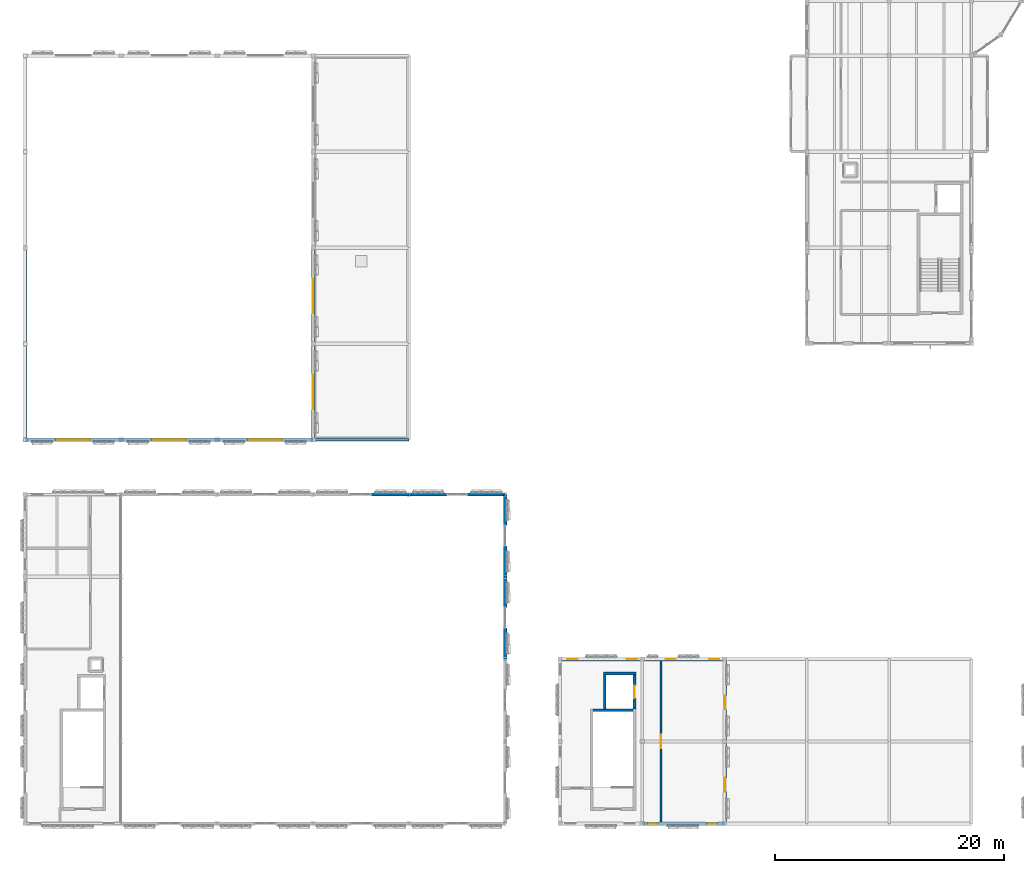
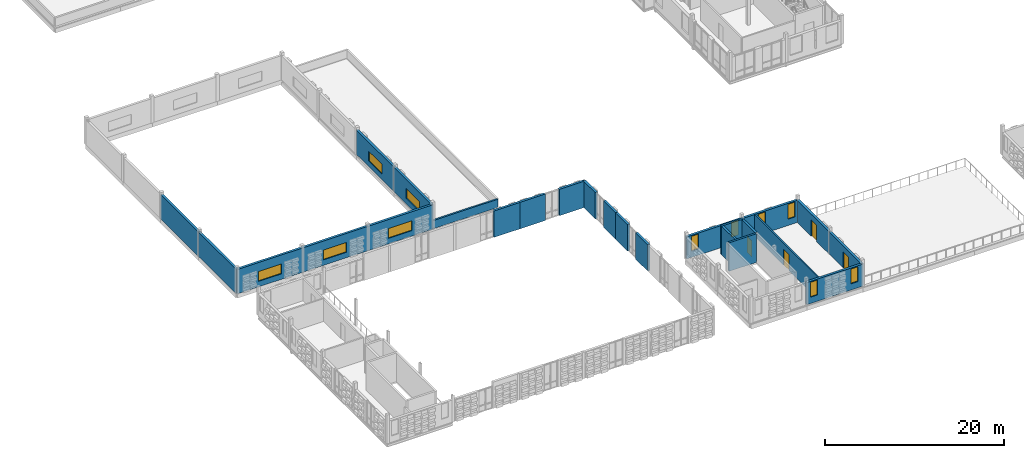
# One storey, part 36 of 57: 25 walls, 11 windows, 4 doors, 15 openings.
"""IFC4 building model written with IfcOpenShell, lengths in metres."""

import ifcopenshell
import ifcopenshell.guid

model = None  # the IFC model being written
_history = None  # IfcOwnerHistory: only IFC2X3 demands one
_inside = {}  # id of a spatial element -> (the spatial element, [elements in it])
_under = {}  # id of a project, library or spatial element -> (it, [spatial elements below it])
_declared = {}  # id of a project -> (the project, [libraries it declares])
_typed = {}  # id of a type object -> (the type object, [elements of that type])
_made_of = {}  # id of a material, layer set ... -> (it, [elements and type objects made of it])


def new_model(schema):
    """Start an empty IFC model of exactly this schema.

    Asked for "IFC4X3", IfcOpenShell would pick the latest addendum, in which some entities
    have other attributes; the version numbers below select the first issue.
    IFC2X3 requires an IfcOwnerHistory on every rooted entity: one is made here for all.
    """
    global model, _history
    if schema == "IFC4X3":
        model = ifcopenshell.file(schema_version=(4, 3, 0, 0))
    else:
        model = ifcopenshell.file(schema=schema)
    _inside.clear()
    _under.clear()
    _declared.clear()
    _typed.clear()
    _made_of.clear()
    _history = None
    if model.schema == "IFC2X3":
        org = make("IfcOrganization", Name="unknown")
        user = make(
            "IfcPersonAndOrganization",
            ThePerson=make("IfcPerson", FamilyName="unknown"),
            TheOrganization=org,
        )
        app = make(
            "IfcApplication",
            ApplicationDeveloper=org,
            Version="unknown",
            ApplicationFullName="unknown",
            ApplicationIdentifier="unknown",
        )
        _history = make(
            "IfcOwnerHistory",
            OwningUser=user,
            OwningApplication=app,
            ChangeAction="ADDED",
            CreationDate=0,
        )
    return model


def make(cls, **values):
    """One entity of the class cls with the attributes given. An attribute that is None is left unset."""
    return model.create_entity(
        cls, **{name: value for name, value in values.items() if value is not None}
    )


def rooted(cls, **values):
    """An entity with a GlobalId (a new one), such as an element, a storey or a relation."""
    return make(cls, GlobalId=ifcopenshell.guid.new(), OwnerHistory=_history, **values)


def si_unit(unit_type, name, prefix=None):
    """IfcSIUnit, for example si_unit("LENGTHUNIT", "METRE", prefix="MILLI")."""
    return make("IfcSIUnit", UnitType=unit_type, Prefix=prefix, Name=name)


def assignment(units):
    """IfcUnitAssignment: the units of a project."""
    return None if units is None else make("IfcUnitAssignment", Units=units)


def point(xyz):
    """IfcCartesianPoint."""
    return None if xyz is None else make("IfcCartesianPoint", Coordinates=xyz)


def direction(xyz):
    """IfcDirection."""
    return None if xyz is None else make("IfcDirection", DirectionRatios=xyz)


def frame(location, z_axis=None, x_axis=None):
    """IfcAxis2Placement3D, a coordinate frame: its origin and axes. An axis left out is left unset."""
    return make(
        "IfcAxis2Placement3D",
        Location=point(location),
        Axis=direction(z_axis),
        RefDirection=direction(x_axis),
    )


def frame_2d(location, x_axis=None):
    """IfcAxis2Placement2D, a coordinate frame in the plane: its origin and x axis."""
    return make(
        "IfcAxis2Placement2D", Location=point(location), RefDirection=direction(x_axis)
    )


def origin():
    """The frame at (0, 0, 0) with its axes left unset."""
    return frame((0.0, 0.0, 0.0))


def place(relative_to, where):
    """IfcLocalPlacement: puts the frame where relative to a parent placement (None: the world)."""
    return make(
        "IfcLocalPlacement", PlacementRelTo=relative_to, RelativePlacement=where
    )


def context(
    kind, dimensions, precision=None, world=None, true_north=None, identifier=None
):
    """IfcGeometricRepresentationContext, for example the 3D "Model" context."""
    return make(
        "IfcGeometricRepresentationContext",
        ContextIdentifier=identifier,
        ContextType=kind,
        CoordinateSpaceDimension=dimensions,
        Precision=precision,
        WorldCoordinateSystem=world,
        TrueNorth=true_north,
    )


def subcontext(parent, identifier, kind, view, scale=None):
    """IfcGeometricRepresentationSubContext, for example "Body" below "Model"."""
    return make(
        "IfcGeometricRepresentationSubContext",
        ContextIdentifier=identifier,
        ContextType=kind,
        ParentContext=parent,
        TargetScale=scale,
        TargetView=view,
    )


def project(units=None, contexts=None):
    """IfcProject with its units and contexts."""
    return rooted(
        "IfcProject",
        Name="project",
        RepresentationContexts=contexts,
        UnitsInContext=assignment(units),
    )


def spatial(cls, under=None, at=None, **own):
    """A site, building, storey or space (cls), placed at a placement, below another one or the project."""
    s = rooted(cls, ObjectPlacement=at, **own)
    if under is not None:
        _under.setdefault(under.id(), (under, []))[1].append(s)
    return s


def profile(cls, at=None, kind="AREA", **sizes):
    """A parametric profile (cls). Its sizes go by their IFC names, for example OverallWidth=200.0."""
    return make(cls, ProfileType=kind, Position=at, **sizes)


def rectangle(**sizes):
    """IfcRectangleProfileDef."""
    return profile("IfcRectangleProfileDef", **sizes)


def extrude(swept, where, along, depth):
    """IfcExtrudedAreaSolid: the profile swept, set in the frame where, extruded along a direction by depth."""
    return make(
        "IfcExtrudedAreaSolid",
        SweptArea=swept,
        Position=where,
        ExtrudedDirection=direction(along),
        Depth=depth,
    )


def shape(context_of_items, identifier, shape_type, items):
    """IfcShapeRepresentation: the items that make up one representation, for example the "Body"."""
    return make(
        "IfcShapeRepresentation",
        ContextOfItems=context_of_items,
        RepresentationIdentifier=identifier,
        RepresentationType=shape_type,
        Items=items,
    )


def material(Name=None, Category=None):
    """IfcMaterial."""
    return make("IfcMaterial", Name=Name, Category=Category)


def layer(
    of_material, thickness, ventilated=None, Name=None, Category=None, Priority=None
):
    """IfcMaterialLayer: one layer of a wall or slab, of a material (None: an air gap)."""
    return make(
        "IfcMaterialLayer",
        Material=of_material,
        LayerThickness=thickness,
        IsVentilated=ventilated,
        Name=Name,
        Category=Category,
        Priority=Priority,
    )


def layer_set(layers, Name=None):
    """IfcMaterialLayerSet."""
    return make("IfcMaterialLayerSet", MaterialLayers=layers, LayerSetName=Name)


def made_of(thing, what):
    """Note that an element or type object is made of a material, layer set ...; save() writes the relation."""
    if what is not None:
        _made_of.setdefault(what.id(), (what, []))[1].append(thing)
    return thing


def type_object(cls, material=None, **own):
    """A type object (cls), such as IfcWallType, which elements share."""
    return made_of(rooted(cls, **own), material)


def element(
    cls,
    number,
    at=None,
    inside=None,
    cuts=None,
    type_object=None,
    material=None,
    context=None,
    identifier="Body",
    shape_type=None,
    held_by="IfcProductDefinitionShape",
    body=None,
    shapes=None,
    **own,
):
    """One element of the class cls, such as IfcWall. Its Tag is "e" and its number.

    at: its placement. inside: the storey or other place that contains it. cuts: it is an
    opening in that element (IfcRelVoidsElement). A single representation is given by context,
    identifier, shape_type and body (its items); several are given by shapes. held_by: the class
    of the entity that holds the representations. save() writes the other relations.
    """
    e = rooted(cls, Tag="e%d" % number, ObjectPlacement=at, **own)
    if body is not None:
        shapes = [shape(context, identifier, shape_type, body)]
    if shapes is not None:
        e.Representation = make(held_by, Representations=shapes)
    if inside is not None:
        _inside.setdefault(inside.id(), (inside, []))[1].append(e)
    if cuts is not None:
        rooted(
            "IfcRelVoidsElement", RelatingBuildingElement=cuts, RelatedOpeningElement=e
        )
    if type_object is not None:
        _typed.setdefault(type_object.id(), (type_object, []))[1].append(e)
    return made_of(e, material)


def fill(opening, filler):
    """IfcRelFillsElement: the door or window that sits in an opening."""
    return rooted(
        "IfcRelFillsElement",
        RelatingOpeningElement=opening,
        RelatedBuildingElement=filler,
    )


def aggregate(whole, parts):
    """IfcRelAggregates: a whole, such as a stair, and the parts it consists of."""
    return rooted("IfcRelAggregates", RelatingObject=whole, RelatedObjects=parts)


def save(model, path):
    """Write the relations noted so far, then the file.

    IfcRelAggregates (storeys below a building ...), IfcRelContainedInSpatialStructure (elements
    in a storey), IfcRelDefinesByType, IfcRelAssociatesMaterial and IfcRelDeclares: one each for
    every whole, place, type object, material and project.
    """
    for whole, parts in _under.values():
        aggregate(whole, parts)
    for where, things in _inside.values():
        rooted(
            "IfcRelContainedInSpatialStructure",
            RelatedElements=things,
            RelatingStructure=where,
        )
    for kind, things in _typed.values():
        rooted("IfcRelDefinesByType", RelatedObjects=things, RelatingType=kind)
    for what, things in _made_of.values():
        rooted("IfcRelAssociatesMaterial", RelatedObjects=things, RelatingMaterial=what)
    for by, libraries in _declared.values():
        rooted("IfcRelDeclares", RelatingContext=by, RelatedDefinitions=libraries)
    model.write(path)


model = new_model("IFC4")

# Units and contexts
model_context = context("Model", 3, precision=1e-05, world=origin(), true_north=direction((0.0, 1.0)))
body_context = subcontext(model_context, "Body", "Model", "MODEL_VIEW")
ifc_project = project(units=[si_unit("LENGTHUNIT", "METRE"), si_unit("AREAUNIT", "SQUARE_METRE"), si_unit("VOLUMEUNIT", "CUBIC_METRE"), si_unit("PLANEANGLEUNIT", "RADIAN"), si_unit("MASSUNIT", "GRAM", prefix="KILO")], contexts=[model_context])

# Site, building, storey
site_placement = place(None, origin())
site = spatial("IfcSite", under=ifc_project, at=site_placement, CompositionType="ELEMENT")
building_placement = place(site_placement, origin())
building = spatial("IfcBuilding", under=site, at=building_placement, Name="Kahlenmark Community Centre", CompositionType="ELEMENT")
storey_placement = place(building_placement, frame((0.0, 0.0, 13.800048828125)))
storey = spatial("IfcBuildingStorey", under=building, at=storey_placement, Name="L03", CompositionType="ELEMENT", Elevation=13.800048828125)

# Walls
ifc_material_1 = material(Name="Concrete C35/45", Category="concrete")
ifc_layer_1 = layer(ifc_material_1, 0.25)
ifc_layer_set_1 = layer_set([ifc_layer_1], Name="Concrete C35/45")
wall_type_1 = type_object("IfcWallType", Name="WT-CORE-250", PredefinedType="SHEAR", material=ifc_layer_set_1)
wall_1_placement = place(storey_placement, frame((57.199951171875, 18.72509765625, 0.0), z_axis=(0.0, 0.0, 1.0), x_axis=(-1.0, 0.0, 0.0)))
element("IfcWall", 1, at=wall_1_placement, inside=storey, type_object=wall_type_1, Name="Core K3 shear wall WL-CORE-K3-L03-0094", PredefinedType="SHEAR", context=body_context, shape_type="SweptSolid", body=[
    extrude(rectangle(XDim=3.5, YDim=0.25, at=frame_2d((1.75, 0.0))), origin(), (0.0, 0.0, 1.0), 3.89990234375),
])
wall_2_placement = place(storey_placement, frame((54.590087890625, 21.93505859375, 0.0), z_axis=(0.0, 0.0, 1.0), x_axis=(1.0, 0.0, 0.0)))
element("IfcWall", 2, at=wall_2_placement, inside=storey, type_object=wall_type_1, Name="Core K3 shear wall WL-CORE-K3-L03-0096", PredefinedType="SHEAR", context=body_context, shape_type="SweptSolid", body=[
    extrude(rectangle(XDim=2.85986328125, YDim=0.25, at=frame_2d((1.429931640625, 0.0))), origin(), (0.0, 0.0, 1.0), 3.89990234375),
])

# Wall, opening, door
wall_3_placement = place(storey_placement, frame((57.324951171875, 18.85009765625, 0.0), z_axis=(0.0, 0.0, 1.0), x_axis=(0.0, 1.0, 0.0)))
wall_3 = element("IfcWall", 3, at=wall_3_placement, inside=storey, type_object=wall_type_1, Name="Core K3 shear wall WL-CORE-K3-L03-0097", PredefinedType="SHEAR", context=body_context, shape_type="SweptSolid", body=[
    extrude(rectangle(XDim=2.9599609375, YDim=0.25, at=frame_2d((1.47998046875, 0.0))), origin(), (0.0, 0.0, 1.0), 3.89990234375),
])
opening_1_placement = place(wall_3_placement, frame((0.929931640625, 0.0, -0.010009765625)))
opening_1 = element("IfcOpeningElement", 4, at=opening_1_placement, cuts=wall_3, Name="Opening LD-3", PredefinedType="OPENING", context=body_context, shape_type="SweptSolid", body=[
    extrude(rectangle(XDim=1.10009765625, YDim=2.159912109375, at=frame_2d((0.550048828125, 1.080078125))), frame((0.0, 0.135009765625, 0.0), z_axis=(0.0, -1.0, 0.0), x_axis=(1.0, 0.0, 0.0)), (0.0, 0.0, 1.0), 0.27001953125),
])
ifc_material_2 = material(Name="Brushed stainless steel sliding lift landing door", Category="steel")
door_type_1 = type_object("IfcDoorType", Name="DT-LD-K3", OperationType="SLIDING_TO_LEFT", PredefinedType="DOOR", material=ifc_material_2)
door_1_placement = place(opening_1_placement, frame((0.0, 0.0, 0.010009765625)))
door_1 = element("IfcDoor", 5, at=door_1_placement, inside=storey, type_object=door_type_1, Name="Lift LF-03 sliding landing door L03", OperationType="SLIDING_TO_LEFT", OverallHeight=2.14990234375, OverallWidth=1.10009765625, PredefinedType="DOOR", context=body_context, shape_type="SweptSolid", body=[
    extrude(rectangle(XDim=1.10009765625, YDim=2.14990234375, at=frame_2d((0.550048828125, 1.074951171875))), frame((0.0, 0.02490234375, 0.0), z_axis=(0.0, -1.0, 0.0), x_axis=(1.0, 0.0, 0.0)), (0.0, 0.0, 1.0), 0.050048828125),
])
fill(opening_1, door_1)

# Walls
wall_4_placement = place(storey_placement, frame((54.715087890625, 18.85009765625, 0.0), z_axis=(0.0, 0.0, 1.0), x_axis=(0.0, 1.0, 0.0)))
element("IfcWall", 6, at=wall_4_placement, inside=storey, type_object=wall_type_1, Name="Core K3 shear wall WL-CORE-K3-L03-0098", PredefinedType="SHEAR", context=body_context, shape_type="SweptSolid", body=[
    extrude(rectangle(XDim=3.2099609375, YDim=0.25, at=frame_2d((1.60498046875, 0.0))), origin(), (0.0, 0.0, 1.0), 3.89990234375),
])
ifc_material_3 = material(Name="Cross-laminated timber CLT C24", Category="wood")
ifc_layer_2 = layer(ifc_material_3, 0.300048828125)
ifc_layer_set_2 = layer_set([ifc_layer_2], Name="Cross-laminated timber CLT C24")
wall_type_2 = type_object("IfcWallType", Name="WT-EW-300", PredefinedType="SOLIDWALL", material=ifc_layer_set_2)
for number, where, z_axis, x_axis, name in (
    (7, (37.60009765625, 37.60009765625, 0.0), (0.0, 0.0, 1.0), (-1.0, 0.0, 0.0), "Basketweave backup wall WL-EXT-L03-0559"),
    (8, (46.0, 37.60009765625, 0.0), (0.0, 0.0, 1.0), (-1.0, 0.0, 0.0), "Basketweave backup wall WL-EXT-L03-0561"),
):
    element("IfcWall", number, at=place(storey_placement, frame(where, z_axis=z_axis, x_axis=x_axis)), inside=storey, type_object=wall_type_2, Name=name, PredefinedType="SOLIDWALL", context=body_context, shape_type="SweptSolid", body=[
        extrude(rectangle(XDim=3.300048828125, YDim=0.300048828125, at=frame_2d((1.64990234375, 0.0))), origin(), (0.0, 0.0, 1.0), 3.58984375),
    ])
wall_5_placement = place(storey_placement, frame((40.89990234375, 37.60009765625, 0.0), z_axis=(0.0, 0.0, 1.0), x_axis=(-1.0, 0.0, 0.0)))
element("IfcWall", 9, at=wall_5_placement, inside=storey, type_object=wall_type_2, Name="Basketweave backup wall WL-EXT-L03-0562", PredefinedType="SOLIDWALL", context=body_context, shape_type="SweptSolid", body=[
    extrude(rectangle(XDim=3.2998046875, YDim=0.300048828125, at=frame_2d((1.64990234375, 0.0))), origin(), (0.0, 0.0, 1.0), 3.599853515625),
])
for number, where, z_axis, x_axis, name in (
    (10, (46.0, 23.199951171875, 0.0), (0.0, 0.0, 1.0), (0.0, 1.0, 0.0), "Basketweave backup wall WL-EXT-L03-0573"),
    (11, (46.0, 27.699951171875, 0.0), (0.0, 0.0, 1.0), (0.0, 1.0, 0.0), "Basketweave backup wall WL-EXT-L03-0574"),
):
    element("IfcWall", number, at=place(storey_placement, frame(where, z_axis=z_axis, x_axis=x_axis)), inside=storey, type_object=wall_type_2, Name=name, PredefinedType="SOLIDWALL", context=body_context, shape_type="SweptSolid", body=[
        extrude(rectangle(XDim=2.699951171875, YDim=0.300048828125, at=frame_2d((1.35009765625, 0.0))), origin(), (0.0, 0.0, 1.0), 3.58984375),
    ])
for number, where, z_axis, x_axis, name in (
    (12, (46.0, 30.39990234375, 0.0), (0.0, 0.0, 1.0), (0.0, 1.0, 0.0), "Basketweave backup wall WL-EXT-L03-0575"),
    (13, (46.0, 34.89990234375, 0.0), (0.0, 0.0, 1.0), (0.0, 1.0, 0.0), "Basketweave backup wall WL-EXT-L03-0576"),
):
    element("IfcWall", number, at=place(storey_placement, frame(where, z_axis=z_axis, x_axis=x_axis)), inside=storey, type_object=wall_type_2, Name=name, PredefinedType="SOLIDWALL", context=body_context, shape_type="SweptSolid", body=[
        extrude(rectangle(XDim=2.7001953125, YDim=0.300048828125, at=frame_2d((1.35009765625, 0.0))), origin(), (0.0, 0.0, 1.0), 3.58984375),
    ])

# Wall, opening, window
wall_6_placement = place(storey_placement, frame((4.0, 42.39990234375, 0.0), z_axis=(0.0, 0.0, 1.0), x_axis=(1.0, 0.0, 0.0)))
wall_6 = element("IfcWall", 14, at=wall_6_placement, inside=storey, type_object=wall_type_2, Name="Exterior wall WL-EXT-L03-0577", PredefinedType="SOLIDWALL", context=body_context, shape_type="SweptSolid", body=[
    extrude(rectangle(XDim=8.39990234375, YDim=0.300048828125, at=frame_2d((4.199951171875, 0.0))), origin(), (0.0, 0.0, 1.0), 3.320068359375),
])
opening_2_placement = place(wall_6_placement, frame((2.659912109375, 0.0, 0.75)))
opening_2 = element("IfcOpeningElement", 15, at=opening_2_placement, cuts=wall_6, Name="Opening W-300X135", PredefinedType="OPENING", context=body_context, shape_type="SweptSolid", body=[
    extrude(rectangle(XDim=3.0, YDim=1.35009765625, at=frame_2d((1.5, 0.675048828125))), frame((0.0, 0.159912109375, 0.0), z_axis=(0.0, -1.0, 0.0), x_axis=(1.0, 0.0, 0.0)), (0.0, 0.0, 1.0), 0.320068359375),
])
ifc_material_4 = material(Name="Triple low-e acoustic clerestory glazing", Category="glass")
window_type_1 = type_object("IfcWindowType", Name="WNT-300X135", PartitioningType="TRIPLE_PANEL_VERTICAL", PredefinedType="WINDOW", material=ifc_material_4)
window_1_placement = place(opening_2_placement, origin())
window_1 = element("IfcWindow", 16, at=window_1_placement, inside=storey, type_object=window_type_1, Name="Window W-300X135 #0349", OverallHeight=1.35009765625, OverallWidth=3.0, PartitioningType="TRIPLE_PANEL_VERTICAL", PredefinedType="WINDOW", context=body_context, shape_type="SweptSolid", body=[
    extrude(rectangle(XDim=3.0, YDim=1.35009765625, at=frame_2d((1.5, 0.675048828125))), frame((0.0, 0.030029296875, 0.0), z_axis=(0.0, -1.0, 0.0), x_axis=(1.0, 0.0, 0.0)), (0.0, 0.0, 1.0), 0.06005859375),
])
fill(opening_2, window_1)

wall_7_placement = place(storey_placement, frame((12.39990234375, 42.39990234375, 0.0), z_axis=(0.0, 0.0, 1.0), x_axis=(1.0, 0.0, 0.0)))
wall_7 = element("IfcWall", 17, at=wall_7_placement, inside=storey, type_object=wall_type_2, Name="Exterior wall WL-EXT-L03-0578", PredefinedType="SOLIDWALL", context=body_context, shape_type="SweptSolid", body=[
    extrude(rectangle(XDim=8.400146484375, YDim=0.300048828125, at=frame_2d((4.2001953125, 0.0))), origin(), (0.0, 0.0, 1.0), 3.320068359375),
])
opening_3_placement = place(wall_7_placement, frame((2.659912109375, 0.0, 0.75)))
opening_3 = element("IfcOpeningElement", 18, at=opening_3_placement, cuts=wall_7, Name="Opening W-300X135", PredefinedType="OPENING", context=body_context, shape_type="SweptSolid", body=[
    extrude(rectangle(XDim=3.0, YDim=1.35009765625, at=frame_2d((1.5, 0.675048828125))), frame((0.0, 0.159912109375, 0.0), z_axis=(0.0, -1.0, 0.0), x_axis=(1.0, 0.0, 0.0)), (0.0, 0.0, 1.0), 0.320068359375),
])
window_2_placement = place(opening_3_placement, origin())
window_2 = element("IfcWindow", 19, at=window_2_placement, inside=storey, type_object=window_type_1, Name="Window W-300X135 #0350", OverallHeight=1.35009765625, OverallWidth=3.0, PartitioningType="TRIPLE_PANEL_VERTICAL", PredefinedType="WINDOW", context=body_context, shape_type="SweptSolid", body=[
    extrude(rectangle(XDim=3.0, YDim=1.35009765625, at=frame_2d((1.5, 0.675048828125))), frame((0.0, 0.030029296875, 0.0), z_axis=(0.0, -1.0, 0.0), x_axis=(1.0, 0.0, 0.0)), (0.0, 0.0, 1.0), 0.06005859375),
])
fill(opening_3, window_2)

wall_8_placement = place(storey_placement, frame((20.800048828125, 42.39990234375, 0.0), z_axis=(0.0, 0.0, 1.0), x_axis=(1.0, 0.0, 0.0)))
wall_8 = element("IfcWall", 20, at=wall_8_placement, inside=storey, type_object=wall_type_2, Name="Exterior wall WL-EXT-L03-0579", PredefinedType="SOLIDWALL", context=body_context, shape_type="SweptSolid", body=[
    extrude(rectangle(XDim=8.39990234375, YDim=0.300048828125, at=frame_2d((4.199951171875, 0.0))), origin(), (0.0, 0.0, 1.0), 3.320068359375),
])
opening_4_placement = place(wall_8_placement, frame((2.659912109375, 0.0, 0.75)))
opening_4 = element("IfcOpeningElement", 21, at=opening_4_placement, cuts=wall_8, Name="Opening W-300X135", PredefinedType="OPENING", context=body_context, shape_type="SweptSolid", body=[
    extrude(rectangle(XDim=3.0, YDim=1.35009765625, at=frame_2d((1.5, 0.675048828125))), frame((0.0, 0.159912109375, 0.0), z_axis=(0.0, -1.0, 0.0), x_axis=(1.0, 0.0, 0.0)), (0.0, 0.0, 1.0), 0.320068359375),
])
window_3_placement = place(opening_4_placement, origin())
window_3 = element("IfcWindow", 22, at=window_3_placement, inside=storey, type_object=window_type_1, Name="Window W-300X135 #0351", OverallHeight=1.35009765625, OverallWidth=3.0, PartitioningType="TRIPLE_PANEL_VERTICAL", PredefinedType="WINDOW", context=body_context, shape_type="SweptSolid", body=[
    extrude(rectangle(XDim=3.0, YDim=1.35009765625, at=frame_2d((1.5, 0.675048828125))), frame((0.0, 0.030029296875, 0.0), z_axis=(0.0, -1.0, 0.0), x_axis=(1.0, 0.0, 0.0)), (0.0, 0.0, 1.0), 0.06005859375),
])
fill(opening_4, window_3)

# Walls
wall_9_placement = place(storey_placement, frame((4.0, 50.800048828125, 0.0), z_axis=(0.0, 0.0, 1.0), x_axis=(0.0, -1.0, 0.0)))
element("IfcWall", 23, at=wall_9_placement, inside=storey, type_object=wall_type_2, Name="Exterior wall WL-EXT-L03-0583", PredefinedType="SOLIDWALL", context=body_context, shape_type="SweptSolid", body=[
    extrude(rectangle(XDim=8.400146484375, YDim=0.300048828125, at=frame_2d((4.2001953125, 0.0))), origin(), (0.0, 0.0, 1.0), 3.320068359375),
])
wall_10_placement = place(storey_placement, frame((4.0, 59.199951171875, 0.0), z_axis=(0.0, 0.0, 1.0), x_axis=(0.0, -1.0, 0.0)))
element("IfcWall", 24, at=wall_10_placement, inside=storey, type_object=wall_type_2, Name="Exterior wall WL-EXT-L03-0584", PredefinedType="SOLIDWALL", context=body_context, shape_type="SweptSolid", body=[
    extrude(rectangle(XDim=8.39990234375, YDim=0.300048828125, at=frame_2d((4.199951171875, 0.0))), origin(), (0.0, 0.0, 1.0), 3.320068359375),
])

# Wall, opening, window
wall_11_placement = place(storey_placement, frame((29.199951171875, 42.39990234375, 0.0), z_axis=(0.0, 0.0, 1.0), x_axis=(0.0, 1.0, 0.0)))
wall_11 = element("IfcWall", 25, at=wall_11_placement, inside=storey, type_object=wall_type_2, Name="Exterior wall WL-EXT-L03-0587", PredefinedType="SOLIDWALL", context=body_context, shape_type="SweptSolid", body=[
    extrude(rectangle(XDim=8.400146484375, YDim=0.300048828125, at=frame_2d((4.2001953125, 0.0))), origin(), (0.0, 0.0, 1.0), 3.320068359375),
])
opening_5_placement = place(wall_11_placement, frame((2.659912109375, 0.0, 0.75)))
opening_5 = element("IfcOpeningElement", 26, at=opening_5_placement, cuts=wall_11, Name="Opening W-300X135", PredefinedType="OPENING", context=body_context, shape_type="SweptSolid", body=[
    extrude(rectangle(XDim=3.0, YDim=1.35009765625, at=frame_2d((1.5, 0.675048828125))), frame((0.0, 0.159912109375, 0.0), z_axis=(0.0, -1.0, 0.0), x_axis=(1.0, 0.0, 0.0)), (0.0, 0.0, 1.0), 0.320068359375),
])
window_4_placement = place(opening_5_placement, origin())
window_4 = element("IfcWindow", 27, at=window_4_placement, inside=storey, type_object=window_type_1, Name="Window W-300X135 #0355", OverallHeight=1.35009765625, OverallWidth=3.0, PartitioningType="TRIPLE_PANEL_VERTICAL", PredefinedType="WINDOW", context=body_context, shape_type="SweptSolid", body=[
    extrude(rectangle(XDim=3.0, YDim=1.35009765625, at=frame_2d((1.5, 0.675048828125))), frame((0.0, 0.030029296875, 0.0), z_axis=(0.0, -1.0, 0.0), x_axis=(1.0, 0.0, 0.0)), (0.0, 0.0, 1.0), 0.06005859375),
])
fill(opening_5, window_4)

wall_12_placement = place(storey_placement, frame((29.199951171875, 50.800048828125, 0.0), z_axis=(0.0, 0.0, 1.0), x_axis=(0.0, 1.0, 0.0)))
wall_12 = element("IfcWall", 28, at=wall_12_placement, inside=storey, type_object=wall_type_2, Name="Exterior wall WL-EXT-L03-0588", PredefinedType="SOLIDWALL", context=body_context, shape_type="SweptSolid", body=[
    extrude(rectangle(XDim=8.39990234375, YDim=0.300048828125, at=frame_2d((4.199951171875, 0.0))), origin(), (0.0, 0.0, 1.0), 3.320068359375),
])
opening_6_placement = place(wall_12_placement, frame((2.659912109375, 0.0, 0.75)))
opening_6 = element("IfcOpeningElement", 29, at=opening_6_placement, cuts=wall_12, Name="Opening W-300X135", PredefinedType="OPENING", context=body_context, shape_type="SweptSolid", body=[
    extrude(rectangle(XDim=3.0, YDim=1.35009765625, at=frame_2d((1.5, 0.675048828125))), frame((0.0, 0.159912109375, 0.0), z_axis=(0.0, -1.0, 0.0), x_axis=(1.0, 0.0, 0.0)), (0.0, 0.0, 1.0), 0.320068359375),
])
window_5_placement = place(opening_6_placement, origin())
window_5 = element("IfcWindow", 30, at=window_5_placement, inside=storey, type_object=window_type_1, Name="Window W-300X135 #0356", OverallHeight=1.35009765625, OverallWidth=3.0, PartitioningType="TRIPLE_PANEL_VERTICAL", PredefinedType="WINDOW", context=body_context, shape_type="SweptSolid", body=[
    extrude(rectangle(XDim=3.0, YDim=1.35009765625, at=frame_2d((1.5, 0.675048828125))), frame((0.0, 0.030029296875, 0.0), z_axis=(0.0, -1.0, 0.0), x_axis=(1.0, 0.0, 0.0)), (0.0, 0.0, 1.0), 0.06005859375),
])
fill(opening_6, window_5)

# Wall, openings, windows
wall_13_placement = place(storey_placement, frame((58.0, 8.800048828125, 0.0), z_axis=(0.0, 0.0, 1.0), x_axis=(1.0, 0.0, 0.0)))
wall_13 = element("IfcWall", 31, at=wall_13_placement, inside=storey, type_object=wall_type_2, Name="L03 conservatory wall WL-L03-PAV-0704", PredefinedType="SOLIDWALL", context=body_context, shape_type="SweptSolid", body=[
    extrude(rectangle(XDim=7.199951171875, YDim=0.300048828125, at=frame_2d((3.60009765625, 0.0))), origin(), (0.0, 0.0, 1.0), 3.010009765625),
])
opening_7_placement = place(wall_13_placement, frame((0.4599609375, 0.0, 0.85009765625)))
opening_7 = element("IfcOpeningElement", 32, at=opening_7_placement, cuts=wall_13, Name="Opening W-090X202", PredefinedType="OPENING", context=body_context, shape_type="SweptSolid", body=[
    extrude(rectangle(XDim=0.89990234375, YDim=2.02001953125, at=frame_2d((0.449951171875, 1.010009765625))), frame((0.0, 0.159912109375, 0.0), z_axis=(0.0, -1.0, 0.0), x_axis=(1.0, 0.0, 0.0)), (0.0, 0.0, 1.0), 0.320068359375),
])
opening_8_placement = place(wall_13_placement, frame((5.659912109375, 0.0, 0.85009765625)))
opening_8 = element("IfcOpeningElement", 33, at=opening_8_placement, cuts=wall_13, Name="Opening W-090X202", PredefinedType="OPENING", context=body_context, shape_type="SweptSolid", body=[
    extrude(rectangle(XDim=0.89990234375, YDim=2.02001953125, at=frame_2d((0.449951171875, 1.010009765625))), frame((0.0, 0.159912109375, 0.0), z_axis=(0.0, -1.0, 0.0), x_axis=(1.0, 0.0, 0.0)), (0.0, 0.0, 1.0), 0.320068359375),
])
ifc_material_5 = material(Name="Recessed basketweave aperture triple glazing", Category="glass")
window_type_2 = type_object("IfcWindowType", Name="WNT-090X202", PartitioningType="SINGLE_PANEL", PredefinedType="WINDOW", material=ifc_material_5)
window_6_placement = place(opening_7_placement, origin())
window_6 = element("IfcWindow", 34, at=window_6_placement, inside=storey, type_object=window_type_2, Name="Window W-090X202 #0485", OverallHeight=2.02001953125, OverallWidth=0.89990234375, PartitioningType="SINGLE_PANEL", PredefinedType="WINDOW", context=body_context, shape_type="SweptSolid", body=[
    extrude(rectangle(XDim=0.89990234375, YDim=2.02001953125, at=frame_2d((0.449951171875, 1.010009765625))), frame((0.0, 0.030029296875, 0.0), z_axis=(0.0, -1.0, 0.0), x_axis=(1.0, 0.0, 0.0)), (0.0, 0.0, 1.0), 0.06005859375),
])
fill(opening_7, window_6)
window_7_placement = place(opening_8_placement, origin())
window_7 = element("IfcWindow", 35, at=window_7_placement, inside=storey, type_object=window_type_2, Name="Window W-090X202 #0486", OverallHeight=2.02001953125, OverallWidth=0.89990234375, PartitioningType="SINGLE_PANEL", PredefinedType="WINDOW", context=body_context, shape_type="SweptSolid", body=[
    extrude(rectangle(XDim=0.89990234375, YDim=2.02001953125, at=frame_2d((0.449951171875, 1.010009765625))), frame((0.0, 0.030029296875, 0.0), z_axis=(0.0, -1.0, 0.0), x_axis=(1.0, 0.0, 0.0)), (0.0, 0.0, 1.0), 0.06005859375),
])
fill(opening_8, window_7)

wall_14_placement = place(storey_placement, frame((65.199951171875, 23.199951171875, 0.0), z_axis=(0.0, 0.0, 1.0), x_axis=(-1.0, 0.0, 0.0)))
wall_14 = element("IfcWall", 36, at=wall_14_placement, inside=storey, type_object=wall_type_2, Name="L03 conservatory wall WL-L03-PAV-0705", PredefinedType="SOLIDWALL", context=body_context, shape_type="SweptSolid", body=[
    extrude(rectangle(XDim=7.199951171875, YDim=0.300048828125, at=frame_2d((3.60009765625, 0.0))), origin(), (0.0, 0.0, 1.0), 3.010009765625),
])
opening_9_placement = place(wall_14_placement, frame((0.4599609375, 0.0, 0.85009765625)))
opening_9 = element("IfcOpeningElement", 37, at=opening_9_placement, cuts=wall_14, Name="Opening W-090X202", PredefinedType="OPENING", context=body_context, shape_type="SweptSolid", body=[
    extrude(rectangle(XDim=0.89990234375, YDim=2.02001953125, at=frame_2d((0.449951171875, 1.010009765625))), frame((0.0, 0.159912109375, 0.0), z_axis=(0.0, -1.0, 0.0), x_axis=(1.0, 0.0, 0.0)), (0.0, 0.0, 1.0), 0.320068359375),
])
opening_10_placement = place(wall_14_placement, frame((4.260009765625, 0.0, 0.85009765625)))
opening_10 = element("IfcOpeningElement", 38, at=opening_10_placement, cuts=wall_14, Name="Opening W-090X202", PredefinedType="OPENING", context=body_context, shape_type="SweptSolid", body=[
    extrude(rectangle(XDim=0.89990234375, YDim=2.02001953125, at=frame_2d((0.449951171875, 1.010009765625))), frame((0.0, 0.159912109375, 0.0), z_axis=(0.0, -1.0, 0.0), x_axis=(1.0, 0.0, 0.0)), (0.0, 0.0, 1.0), 0.320068359375),
])
window_8_placement = place(opening_9_placement, origin())
window_8 = element("IfcWindow", 39, at=window_8_placement, inside=storey, type_object=window_type_2, Name="Window W-090X202 #0487", OverallHeight=2.02001953125, OverallWidth=0.89990234375, PartitioningType="SINGLE_PANEL", PredefinedType="WINDOW", context=body_context, shape_type="SweptSolid", body=[
    extrude(rectangle(XDim=0.89990234375, YDim=2.02001953125, at=frame_2d((0.449951171875, 1.010009765625))), frame((0.0, 0.030029296875, 0.0), z_axis=(0.0, -1.0, 0.0), x_axis=(1.0, 0.0, 0.0)), (0.0, 0.0, 1.0), 0.06005859375),
])
fill(opening_9, window_8)
window_9_placement = place(opening_10_placement, origin())
window_9 = element("IfcWindow", 40, at=window_9_placement, inside=storey, type_object=window_type_2, Name="Window W-090X202 #0488", OverallHeight=2.02001953125, OverallWidth=0.89990234375, PartitioningType="SINGLE_PANEL", PredefinedType="WINDOW", context=body_context, shape_type="SweptSolid", body=[
    extrude(rectangle(XDim=0.89990234375, YDim=2.02001953125, at=frame_2d((0.449951171875, 1.010009765625))), frame((0.0, 0.030029296875, 0.0), z_axis=(0.0, -1.0, 0.0), x_axis=(1.0, 0.0, 0.0)), (0.0, 0.0, 1.0), 0.06005859375),
])
fill(opening_10, window_9)

wall_15_placement = place(storey_placement, frame((58.0, 23.199951171875, 0.0), z_axis=(0.0, 0.0, 1.0), x_axis=(-1.0, 0.0, 0.0)))
wall_15 = element("IfcWall", 41, at=wall_15_placement, inside=storey, type_object=wall_type_2, Name="L03 conservatory wall WL-L03-PAV-0706", PredefinedType="SOLIDWALL", context=body_context, shape_type="SweptSolid", body=[
    extrude(rectangle(XDim=7.199951171875, YDim=0.300048828125, at=frame_2d((3.60009765625, 0.0))), origin(), (0.0, 0.0, 1.0), 3.010009765625),
])
opening_11_placement = place(wall_15_placement, frame((0.4599609375, 0.0, 0.85009765625)))
opening_11 = element("IfcOpeningElement", 42, at=opening_11_placement, cuts=wall_15, Name="Opening W-090X202", PredefinedType="OPENING", context=body_context, shape_type="SweptSolid", body=[
    extrude(rectangle(XDim=0.89990234375, YDim=2.02001953125, at=frame_2d((0.449951171875, 1.010009765625))), frame((0.0, 0.159912109375, 0.0), z_axis=(0.0, -1.0, 0.0), x_axis=(1.0, 0.0, 0.0)), (0.0, 0.0, 1.0), 0.320068359375),
])
opening_12_placement = place(wall_15_placement, frame((5.659912109375, 0.0, 0.85009765625)))
opening_12 = element("IfcOpeningElement", 43, at=opening_12_placement, cuts=wall_15, Name="Opening W-090X202", PredefinedType="OPENING", context=body_context, shape_type="SweptSolid", body=[
    extrude(rectangle(XDim=0.89990234375, YDim=2.02001953125, at=frame_2d((0.449951171875, 1.010009765625))), frame((0.0, 0.159912109375, 0.0), z_axis=(0.0, -1.0, 0.0), x_axis=(1.0, 0.0, 0.0)), (0.0, 0.0, 1.0), 0.320068359375),
])
window_10_placement = place(opening_11_placement, origin())
window_10 = element("IfcWindow", 44, at=window_10_placement, inside=storey, type_object=window_type_2, Name="Window W-090X202 #0489", OverallHeight=2.02001953125, OverallWidth=0.89990234375, PartitioningType="SINGLE_PANEL", PredefinedType="WINDOW", context=body_context, shape_type="SweptSolid", body=[
    extrude(rectangle(XDim=0.89990234375, YDim=2.02001953125, at=frame_2d((0.449951171875, 1.010009765625))), frame((0.0, 0.030029296875, 0.0), z_axis=(0.0, -1.0, 0.0), x_axis=(1.0, 0.0, 0.0)), (0.0, 0.0, 1.0), 0.06005859375),
])
fill(opening_11, window_10)
window_11_placement = place(opening_12_placement, origin())
window_11 = element("IfcWindow", 45, at=window_11_placement, inside=storey, type_object=window_type_2, Name="Window W-090X202 #0490", OverallHeight=2.02001953125, OverallWidth=0.89990234375, PartitioningType="SINGLE_PANEL", PredefinedType="WINDOW", context=body_context, shape_type="SweptSolid", body=[
    extrude(rectangle(XDim=0.89990234375, YDim=2.02001953125, at=frame_2d((0.449951171875, 1.010009765625))), frame((0.0, 0.030029296875, 0.0), z_axis=(0.0, -1.0, 0.0), x_axis=(1.0, 0.0, 0.0)), (0.0, 0.0, 1.0), 0.06005859375),
])
fill(opening_12, window_11)

# Wall, opening, door
wall_16_placement = place(storey_placement, frame((65.199951171875, 8.800048828125, 0.0), z_axis=(0.0, 0.0, 1.0), x_axis=(0.0, 1.0, 0.0)))
wall_16 = element("IfcWall", 46, at=wall_16_placement, inside=storey, type_object=wall_type_2, Name="L03 conservatory wall WL-L03-PAV-0709", PredefinedType="SOLIDWALL", context=body_context, shape_type="SweptSolid", body=[
    extrude(rectangle(XDim=7.199951171875, YDim=0.300048828125, at=frame_2d((3.60009765625, 0.0))), origin(), (0.0, 0.0, 1.0), 3.010009765625),
])
opening_13_placement = place(wall_16_placement, frame((2.800048828125, 0.0, -0.010009765625)))
opening_13 = element("IfcOpeningElement", 47, at=opening_13_placement, cuts=wall_16, Name="Opening D-TER10", PredefinedType="OPENING", context=body_context, shape_type="SweptSolid", body=[
    extrude(rectangle(XDim=1.199951171875, YDim=2.2099609375, at=frame_2d((0.60009765625, 1.10498046875))), frame((0.0, 0.159912109375, 0.0), z_axis=(0.0, -1.0, 0.0), x_axis=(1.0, 0.0, 0.0)), (0.0, 0.0, 1.0), 0.320068359375),
])
ifc_material_6 = material(Name="Thermally broken glazed aluminium terrace door", Category="aluminium")
door_type_2 = type_object("IfcDoorType", Name="DT-EXT-120X220", OperationType="NOTDEFINED", PredefinedType="DOOR", material=ifc_material_6)
door_2_placement = place(opening_13_placement, frame((0.0, 0.0, 0.010009765625)))
door_2 = element("IfcDoor", 48, at=door_2_placement, inside=storey, type_object=door_type_2, Name="Roof garden door D-TER10", OperationType="SINGLE_SWING_RIGHT", OverallHeight=2.199951171875, OverallWidth=1.199951171875, PredefinedType="DOOR", context=body_context, shape_type="SweptSolid", body=[
    extrude(rectangle(XDim=1.199951171875, YDim=2.199951171875, at=frame_2d((0.60009765625, 1.10009765625))), frame((0.0, 0.02490234375, 0.0), z_axis=(0.0, -1.0, 0.0), x_axis=(1.0, 0.0, 0.0)), (0.0, 0.0, 1.0), 0.050048828125),
])
fill(opening_13, door_2)

wall_17_placement = place(storey_placement, frame((65.199951171875, 16.0, 0.0), z_axis=(0.0, 0.0, 1.0), x_axis=(0.0, 1.0, 0.0)))
wall_17 = element("IfcWall", 49, at=wall_17_placement, inside=storey, type_object=wall_type_2, Name="L03 conservatory wall WL-L03-PAV-0710", PredefinedType="SOLIDWALL", context=body_context, shape_type="SweptSolid", body=[
    extrude(rectangle(XDim=7.199951171875, YDim=0.300048828125, at=frame_2d((3.60009765625, 0.0))), origin(), (0.0, 0.0, 1.0), 3.010009765625),
])
opening_14_placement = place(wall_17_placement, frame((2.800048828125, 0.0, -0.010009765625)))
opening_14 = element("IfcOpeningElement", 50, at=opening_14_placement, cuts=wall_17, Name="Opening D-TER11", PredefinedType="OPENING", context=body_context, shape_type="SweptSolid", body=[
    extrude(rectangle(XDim=1.199951171875, YDim=2.2099609375, at=frame_2d((0.60009765625, 1.10498046875))), frame((0.0, 0.159912109375, 0.0), z_axis=(0.0, -1.0, 0.0), x_axis=(1.0, 0.0, 0.0)), (0.0, 0.0, 1.0), 0.320068359375),
])
door_3_placement = place(opening_14_placement, frame((0.0, 0.0, 0.010009765625)))
door_3 = element("IfcDoor", 51, at=door_3_placement, inside=storey, type_object=door_type_2, Name="Roof garden door D-TER11", OperationType="SINGLE_SWING_LEFT", OverallHeight=2.199951171875, OverallWidth=1.199951171875, PredefinedType="DOOR", context=body_context, shape_type="SweptSolid", body=[
    extrude(rectangle(XDim=1.199951171875, YDim=2.199951171875, at=frame_2d((0.60009765625, 1.10009765625))), frame((0.0, 0.02490234375, 0.0), z_axis=(0.0, -1.0, 0.0), x_axis=(1.0, 0.0, 0.0)), (0.0, 0.0, 1.0), 0.050048828125),
])
fill(opening_14, door_3)

# Wall
ifc_material_7 = material(Name="Concrete C30/37", Category="concrete")
ifc_layer_3 = layer(ifc_material_7, 0.219970703125)
ifc_layer_set_3 = layer_set([ifc_layer_3], Name="Concrete C30/37")
wall_type_3 = type_object("IfcWallType", Name="WT-PAR-220", PredefinedType="PARAPET", material=ifc_layer_set_3)
wall_18_placement = place(storey_placement, frame((29.199951171875, 42.39990234375, 0.0), z_axis=(0.0, 0.0, 1.0), x_axis=(1.0, 0.0, 0.0)))
element("IfcWall", 52, at=wall_18_placement, inside=storey, type_object=wall_type_3, Name="Roof parapet 1042", PredefinedType="PARAPET", context=body_context, shape_type="SweptSolid", body=[
    extrude(rectangle(XDim=8.400146484375, YDim=0.219970703125, at=frame_2d((4.2001953125, 0.0))), origin(), (0.0, 0.0, 1.0), 1.119873046875),
])

# Wall, opening, door
ifc_material_8 = material(Name="Gypsum plasterboard partition", Category="gypsum")
ifc_layer_4 = layer(ifc_material_8, 0.179931640625)
ifc_layer_set_4 = layer_set([ifc_layer_4], Name="Gypsum plasterboard partition")
wall_type_4 = type_object("IfcWallType", Name="WT-PW-180", PredefinedType="PARTITIONING", material=ifc_layer_set_4)
wall_19_placement = place(storey_placement, frame((59.64990234375, 8.93994140625, 0.0), z_axis=(0.0, 0.0, 1.0), x_axis=(0.0, 1.0, 0.0)))
wall_19 = element("IfcWall", 53, at=wall_19_placement, inside=storey, type_object=wall_type_4, Name="Interior partition WL-INT-L03-0217", PredefinedType="PARTITIONING", context=body_context, shape_type="SweptSolid", body=[
    extrude(rectangle(XDim=14.1201171875, YDim=0.179931640625, at=frame_2d((7.06005859375, 0.0))), origin(), (0.0, 0.0, 1.0), 3.010009765625),
])
opening_15_placement = place(wall_19_placement, frame((6.4599609375, 0.0, -0.010009765625)))
opening_15 = element("IfcOpeningElement", 54, at=opening_15_placement, cuts=wall_19, Name="Opening D-L03-125", PredefinedType="OPENING", context=body_context, shape_type="SweptSolid", body=[
    extrude(rectangle(XDim=1.199951171875, YDim=2.2099609375, at=frame_2d((0.60009765625, 1.10498046875))), frame((0.0, 0.099853515625, 0.0), z_axis=(0.0, -1.0, 0.0), x_axis=(1.0, 0.0, 0.0)), (0.0, 0.0, 1.0), 0.199951171875),
])
ifc_material_9 = material(Name="Fire-rated timber door FD60S", Category="wood")
door_type_3 = type_object("IfcDoorType", Name="DT-FD60-120X220", OperationType="NOTDEFINED", PredefinedType="DOOR", material=ifc_material_9)
door_4_placement = place(opening_15_placement, frame((0.0, 0.0, 0.010009765625)))
door_4 = element("IfcDoor", 55, at=door_4_placement, inside=storey, type_object=door_type_3, Name="Interior door D-L03-125", OperationType="SINGLE_SWING_RIGHT", OverallHeight=2.199951171875, OverallWidth=1.199951171875, PredefinedType="DOOR", context=body_context, shape_type="SweptSolid", body=[
    extrude(rectangle(XDim=1.199951171875, YDim=2.199951171875, at=frame_2d((0.60009765625, 1.10009765625))), frame((0.0, 0.02490234375, 0.0), z_axis=(0.0, -1.0, 0.0), x_axis=(1.0, 0.0, 0.0)), (0.0, 0.0, 1.0), 0.050048828125),
])
fill(opening_15, door_4)

save(model, "model.ifc")
